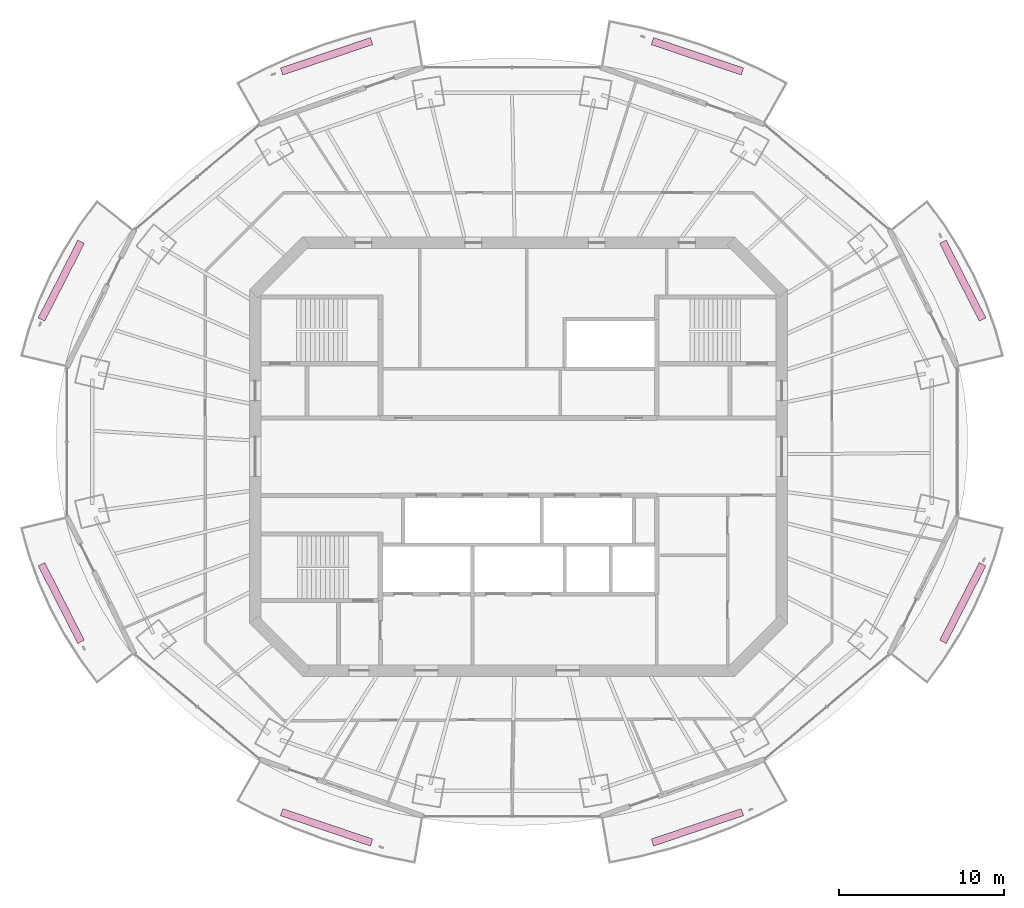
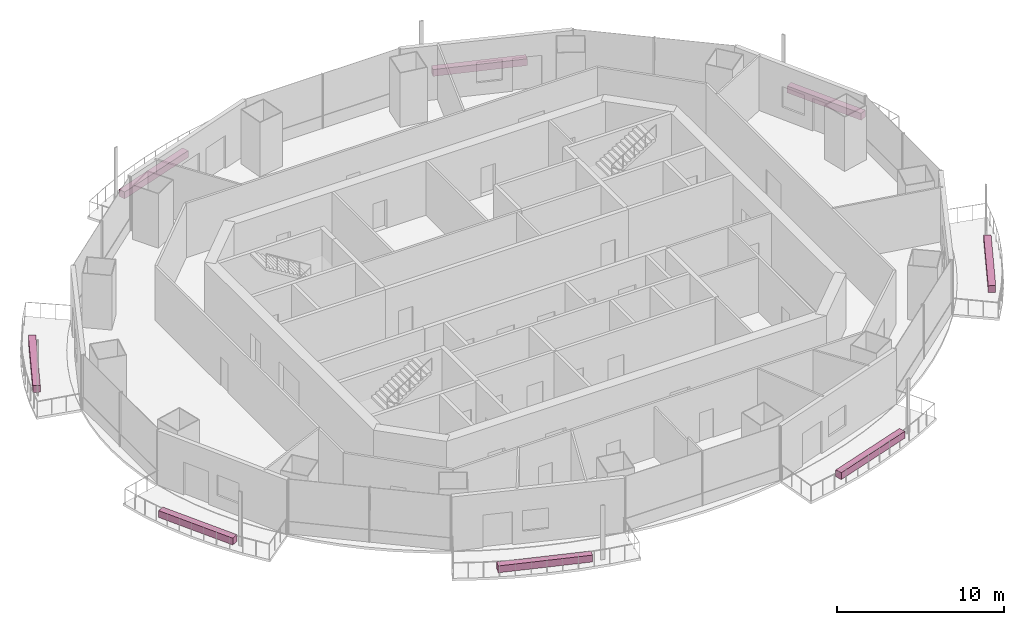
# One storey, part 16 of 16: 8 furnishings.
"""IFC4 building model written with IfcOpenShell, lengths in metres."""

from ifc_helpers import new_model, si_unit, direction, frame, origin, origin_2d, place, context, subcontext, project, spatial, rectangle, extrude, material, type_object, element, save


model = new_model("IFC4")

# Units and contexts
model_context = context("Model", 3, precision=1e-05, world=origin(), true_north=direction((0.0, 1.0)))
body_context = subcontext(model_context, "Body", "Model", "MODEL_VIEW")
ifc_project = project(units=[si_unit("LENGTHUNIT", "METRE"), si_unit("AREAUNIT", "SQUARE_METRE"), si_unit("VOLUMEUNIT", "CUBIC_METRE"), si_unit("PLANEANGLEUNIT", "RADIAN"), si_unit("MASSUNIT", "GRAM", prefix="KILO")], contexts=[model_context])

# Site, building, storey
site_placement = place(None, origin())
site = spatial("IfcSite", under=ifc_project, at=site_placement, CompositionType="ELEMENT")
building_placement = place(site_placement, origin())
building = spatial("IfcBuilding", under=site, at=building_placement, Name="Marenthal Gate Tower", CompositionType="ELEMENT")
storey_placement = place(building_placement, frame((0.0, 0.0, 321.85009765625)))
storey = spatial("IfcBuildingStorey", under=building, at=storey_placement, Name="L72", CompositionType="ELEMENT", Elevation=321.85009765625)

# Furnishings
ifc_material = material(Name="Planting soil and foliage", Category="planting")
furnishing_element_type = type_object("IfcFurnishingElementType", Name="Balcony PLANTER trough", material=ifc_material)
furnishing_1_placement = place(storey_placement, frame((26.997802734375, 10.697265625, -0.0400390625), z_axis=(0.0, 0.0, 1.0), x_axis=(-0.454443413742, 0.890775607943, 0.0)))
element("IfcFurnishingElement", 1, at=furnishing_1_placement, inside=storey, type_object=furnishing_element_type, Name="Balcony PLANTER L72 bay 1", ObjectType="PLANTER", context=body_context, shape_type="SweptSolid", body=[
    extrude(rectangle(XDim=5.29541015625, YDim=0.449951171875, at=origin_2d()), origin(), (0.0, 0.0, 1.0), 0.5),
])
for number, where, z_axis, x_axis, name in (
    (2, (10.869384765625, 24.33251953125, -0.0400390625), (0.0, 0.0, 1.0), (-0.947473106829, 0.319835444935, 0.0), "Balcony PLANTER L72 bay 3"),
    (3, (-11.669189453125, 24.33251953125, -0.0400390625), (0.0, 0.0, 1.0), (-0.947473106829, -0.319835444935, 0.0), "Balcony PLANTER L72 bay 5"),
):
    element("IfcFurnishingElement", number, at=place(storey_placement, frame(where, z_axis=z_axis, x_axis=x_axis)), inside=storey, type_object=furnishing_element_type, Name=name, ObjectType="PLANTER", context=body_context, shape_type="SweptSolid", body=[
        extrude(rectangle(XDim=5.7724609375, YDim=0.449951171875, at=origin_2d()), origin(), (0.0, 0.0, 1.0), 0.5),
    ])
for number, where, z_axis, x_axis, name in (
    (4, (-27.7978515625, 10.697265625, -0.0400390625), (0.0, 0.0, 1.0), (-0.454443413742, -0.890775607943, 0.0), "Balcony PLANTER L72 bay 7"),
    (5, (-27.7978515625, -8.897216796875, -0.0400390625), (0.0, 0.0, 1.0), (0.454443413742, -0.890775607943, 0.0), "Balcony PLANTER L72 bay 9"),
):
    element("IfcFurnishingElement", number, at=place(storey_placement, frame(where, z_axis=z_axis, x_axis=x_axis)), inside=storey, type_object=furnishing_element_type, Name=name, ObjectType="PLANTER", context=body_context, shape_type="SweptSolid", body=[
        extrude(rectangle(XDim=5.29541015625, YDim=0.449951171875, at=origin_2d()), origin(), (0.0, 0.0, 1.0), 0.5),
    ])
for number, where, z_axis, x_axis, name in (
    (6, (-11.669189453125, -22.532470703125, -0.0400390625), (0.0, 0.0, 1.0), (0.947473106829, -0.319835444935, 0.0), "Balcony PLANTER L72 bay 11"),
    (7, (10.869384765625, -22.532470703125, -0.0400390625), (0.0, 0.0, 1.0), (0.947473106829, 0.319835444935, 0.0), "Balcony PLANTER L72 bay 13"),
):
    element("IfcFurnishingElement", number, at=place(storey_placement, frame(where, z_axis=z_axis, x_axis=x_axis)), inside=storey, type_object=furnishing_element_type, Name=name, ObjectType="PLANTER", context=body_context, shape_type="SweptSolid", body=[
        extrude(rectangle(XDim=5.7724609375, YDim=0.449951171875, at=origin_2d()), origin(), (0.0, 0.0, 1.0), 0.5),
    ])
furnishing_2_placement = place(storey_placement, frame((26.997802734375, -8.897216796875, -0.0400390625), z_axis=(0.0, 0.0, 1.0), x_axis=(0.454443413742, 0.890775607943, 0.0)))
element("IfcFurnishingElement", 8, at=furnishing_2_placement, inside=storey, type_object=furnishing_element_type, Name="Balcony PLANTER L72 bay 15", ObjectType="PLANTER", context=body_context, shape_type="SweptSolid", body=[
    extrude(rectangle(XDim=5.29541015625, YDim=0.449951171875, at=origin_2d()), origin(), (0.0, 0.0, 1.0), 0.5),
])

save(model, "model.ifc")
